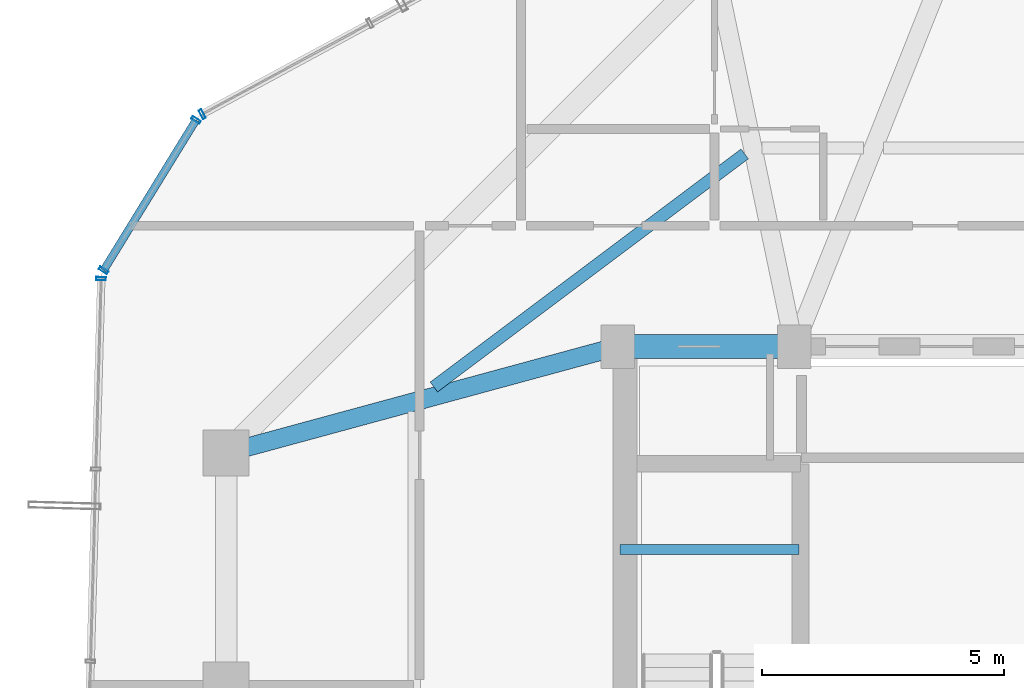
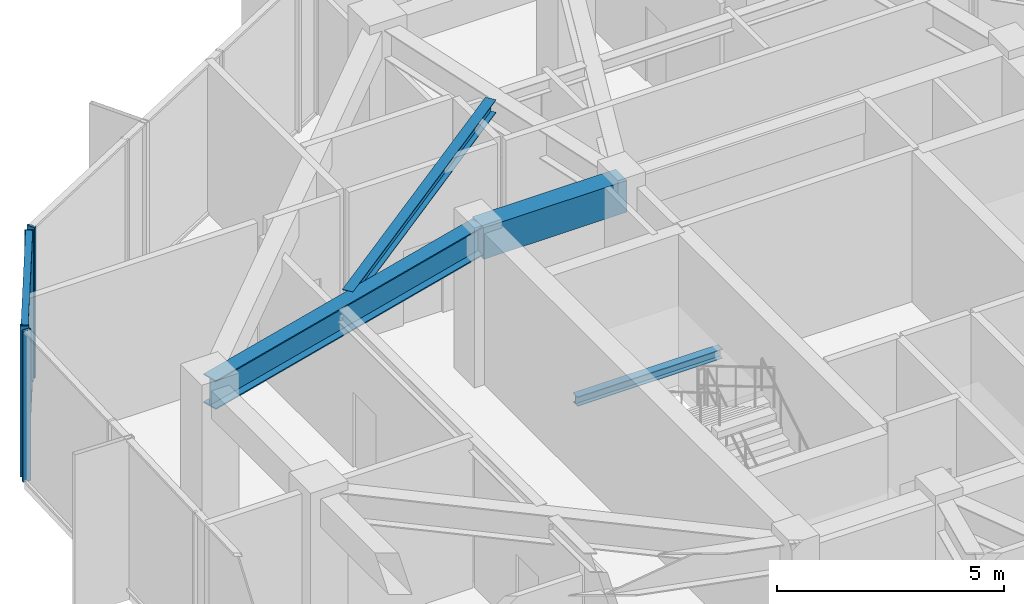
# One storey, part 9 of 22: 6 members, 4 beams, 3 elements without a shape of their own.
"""IFC4 building model written with IfcOpenShell, lengths in metres."""

import ifcopenshell
import ifcopenshell.guid

model = None  # the IFC model being written
_history = None  # IfcOwnerHistory: only IFC2X3 demands one
_inside = {}  # id of a spatial element -> (the spatial element, [elements in it])
_under = {}  # id of a project, library or spatial element -> (it, [spatial elements below it])
_declared = {}  # id of a project -> (the project, [libraries it declares])
_typed = {}  # id of a type object -> (the type object, [elements of that type])
_made_of = {}  # id of a material, layer set ... -> (it, [elements and type objects made of it])


def new_model(schema):
    """Start an empty IFC model of exactly this schema.

    Asked for "IFC4X3", IfcOpenShell would pick the latest addendum, in which some entities
    have other attributes; the version numbers below select the first issue.
    IFC2X3 requires an IfcOwnerHistory on every rooted entity: one is made here for all.
    """
    global model, _history
    if schema == "IFC4X3":
        model = ifcopenshell.file(schema_version=(4, 3, 0, 0))
    else:
        model = ifcopenshell.file(schema=schema)
    _inside.clear()
    _under.clear()
    _declared.clear()
    _typed.clear()
    _made_of.clear()
    _history = None
    if model.schema == "IFC2X3":
        org = make("IfcOrganization", Name="unknown")
        user = make(
            "IfcPersonAndOrganization",
            ThePerson=make("IfcPerson", FamilyName="unknown"),
            TheOrganization=org,
        )
        app = make(
            "IfcApplication",
            ApplicationDeveloper=org,
            Version="unknown",
            ApplicationFullName="unknown",
            ApplicationIdentifier="unknown",
        )
        _history = make(
            "IfcOwnerHistory",
            OwningUser=user,
            OwningApplication=app,
            ChangeAction="ADDED",
            CreationDate=0,
        )
    return model


def make(cls, **values):
    """One entity of the class cls with the attributes given. An attribute that is None is left unset."""
    return model.create_entity(
        cls, **{name: value for name, value in values.items() if value is not None}
    )


def rooted(cls, **values):
    """An entity with a GlobalId (a new one), such as an element, a storey or a relation."""
    return make(cls, GlobalId=ifcopenshell.guid.new(), OwnerHistory=_history, **values)


def si_unit(unit_type, name, prefix=None):
    """IfcSIUnit, for example si_unit("LENGTHUNIT", "METRE", prefix="MILLI")."""
    return make("IfcSIUnit", UnitType=unit_type, Prefix=prefix, Name=name)


def assignment(units):
    """IfcUnitAssignment: the units of a project."""
    return None if units is None else make("IfcUnitAssignment", Units=units)


def point(xyz):
    """IfcCartesianPoint."""
    return None if xyz is None else make("IfcCartesianPoint", Coordinates=xyz)


def direction(xyz):
    """IfcDirection."""
    return None if xyz is None else make("IfcDirection", DirectionRatios=xyz)


def frame(location, z_axis=None, x_axis=None):
    """IfcAxis2Placement3D, a coordinate frame: its origin and axes. An axis left out is left unset."""
    return make(
        "IfcAxis2Placement3D",
        Location=point(location),
        Axis=direction(z_axis),
        RefDirection=direction(x_axis),
    )


def frame_2d(location, x_axis=None):
    """IfcAxis2Placement2D, a coordinate frame in the plane: its origin and x axis."""
    return make(
        "IfcAxis2Placement2D", Location=point(location), RefDirection=direction(x_axis)
    )


def origin():
    """The frame at (0, 0, 0) with its axes left unset."""
    return frame((0.0, 0.0, 0.0))


def origin_2d():
    """The frame at (0, 0) in the plane with its x axis left unset."""
    return frame_2d((0.0, 0.0))


def place(relative_to, where):
    """IfcLocalPlacement: puts the frame where relative to a parent placement (None: the world)."""
    return make(
        "IfcLocalPlacement", PlacementRelTo=relative_to, RelativePlacement=where
    )


def context(
    kind, dimensions, precision=None, world=None, true_north=None, identifier=None
):
    """IfcGeometricRepresentationContext, for example the 3D "Model" context."""
    return make(
        "IfcGeometricRepresentationContext",
        ContextIdentifier=identifier,
        ContextType=kind,
        CoordinateSpaceDimension=dimensions,
        Precision=precision,
        WorldCoordinateSystem=world,
        TrueNorth=true_north,
    )


def subcontext(parent, identifier, kind, view, scale=None):
    """IfcGeometricRepresentationSubContext, for example "Body" below "Model"."""
    return make(
        "IfcGeometricRepresentationSubContext",
        ContextIdentifier=identifier,
        ContextType=kind,
        ParentContext=parent,
        TargetScale=scale,
        TargetView=view,
    )


def project(units=None, contexts=None):
    """IfcProject with its units and contexts."""
    return rooted(
        "IfcProject",
        Name="project",
        RepresentationContexts=contexts,
        UnitsInContext=assignment(units),
    )


def spatial(cls, under=None, at=None, **own):
    """A site, building, storey or space (cls), placed at a placement, below another one or the project."""
    s = rooted(cls, ObjectPlacement=at, **own)
    if under is not None:
        _under.setdefault(under.id(), (under, []))[1].append(s)
    return s


def profile(cls, at=None, kind="AREA", **sizes):
    """A parametric profile (cls). Its sizes go by their IFC names, for example OverallWidth=200.0."""
    return make(cls, ProfileType=kind, Position=at, **sizes)


def rectangle(**sizes):
    """IfcRectangleProfileDef."""
    return profile("IfcRectangleProfileDef", **sizes)


def hollow_rectangle(**sizes):
    """IfcRectangleHollowProfileDef."""
    return profile("IfcRectangleHollowProfileDef", **sizes)


def i_section(**sizes):
    """IfcIShapeProfileDef."""
    return profile("IfcIShapeProfileDef", **sizes)


def extrude(swept, where, along, depth):
    """IfcExtrudedAreaSolid: the profile swept, set in the frame where, extruded along a direction by depth."""
    return make(
        "IfcExtrudedAreaSolid",
        SweptArea=swept,
        Position=where,
        ExtrudedDirection=direction(along),
        Depth=depth,
    )


def shape(context_of_items, identifier, shape_type, items):
    """IfcShapeRepresentation: the items that make up one representation, for example the "Body"."""
    return make(
        "IfcShapeRepresentation",
        ContextOfItems=context_of_items,
        RepresentationIdentifier=identifier,
        RepresentationType=shape_type,
        Items=items,
    )


def source(mapping_origin, context_of_items, identifier, shape_type, items):
    """IfcRepresentationMap: a shape defined once, which mapped items show again and again."""
    return make(
        "IfcRepresentationMap",
        MappingOrigin=mapping_origin,
        MappedRepresentation=shape(context_of_items, identifier, shape_type, items),
    )


def transform(
    local_origin,
    x_axis=None,
    y_axis=None,
    z_axis=None,
    scale=None,
    scale2=None,
    scale3=None,
    uniform=True,
):
    """IfcCartesianTransformationOperator3D, or its non-uniform kind. x_axis, y_axis, z_axis: its Axis1, 2, 3."""
    if uniform:
        return make(
            "IfcCartesianTransformationOperator3D",
            Axis1=direction(x_axis),
            Axis2=direction(y_axis),
            LocalOrigin=point(local_origin),
            Scale=scale,
            Axis3=direction(z_axis),
        )
    return make(
        "IfcCartesianTransformationOperator3DnonUniform",
        Axis1=direction(x_axis),
        Axis2=direction(y_axis),
        LocalOrigin=point(local_origin),
        Scale=scale,
        Axis3=direction(z_axis),
        Scale2=scale2,
        Scale3=scale3,
    )


def mapped(mapping_source, mapping_target):
    """IfcMappedItem: shows the shape of a source again, moved by a transform."""
    return make(
        "IfcMappedItem", MappingSource=mapping_source, MappingTarget=mapping_target
    )


def material(Name=None, Category=None):
    """IfcMaterial."""
    return make("IfcMaterial", Name=Name, Category=Category)


def layer(
    of_material, thickness, ventilated=None, Name=None, Category=None, Priority=None
):
    """IfcMaterialLayer: one layer of a wall or slab, of a material (None: an air gap)."""
    return make(
        "IfcMaterialLayer",
        Material=of_material,
        LayerThickness=thickness,
        IsVentilated=ventilated,
        Name=Name,
        Category=Category,
        Priority=Priority,
    )


def layer_set(layers, Name=None):
    """IfcMaterialLayerSet."""
    return make("IfcMaterialLayerSet", MaterialLayers=layers, LayerSetName=Name)


def material_profile(
    of_material, cross_section, Name=None, Category=None, Priority=None
):
    """IfcMaterialProfile: a cross section and its material."""
    return make(
        "IfcMaterialProfile",
        Name=Name,
        Material=of_material,
        Profile=cross_section,
        Priority=Priority,
        Category=Category,
    )


def profile_set(profiles, Name=None, composite=None):
    """IfcMaterialProfileSet."""
    return make(
        "IfcMaterialProfileSet",
        Name=Name,
        MaterialProfiles=profiles,
        CompositeProfile=composite,
    )


def made_of(thing, what):
    """Note that an element or type object is made of a material, layer set ...; save() writes the relation."""
    if what is not None:
        _made_of.setdefault(what.id(), (what, []))[1].append(thing)
    return thing


def type_object(cls, material=None, **own):
    """A type object (cls), such as IfcWallType, which elements share."""
    return made_of(rooted(cls, **own), material)


def element(
    cls,
    number,
    at=None,
    inside=None,
    cuts=None,
    type_object=None,
    material=None,
    context=None,
    identifier="Body",
    shape_type=None,
    held_by="IfcProductDefinitionShape",
    body=None,
    shapes=None,
    **own,
):
    """One element of the class cls, such as IfcWall. Its Tag is "e" and its number.

    at: its placement. inside: the storey or other place that contains it. cuts: it is an
    opening in that element (IfcRelVoidsElement). A single representation is given by context,
    identifier, shape_type and body (its items); several are given by shapes. held_by: the class
    of the entity that holds the representations. save() writes the other relations.
    """
    e = rooted(cls, Tag="e%d" % number, ObjectPlacement=at, **own)
    if body is not None:
        shapes = [shape(context, identifier, shape_type, body)]
    if shapes is not None:
        e.Representation = make(held_by, Representations=shapes)
    if inside is not None:
        _inside.setdefault(inside.id(), (inside, []))[1].append(e)
    if cuts is not None:
        rooted(
            "IfcRelVoidsElement", RelatingBuildingElement=cuts, RelatedOpeningElement=e
        )
    if type_object is not None:
        _typed.setdefault(type_object.id(), (type_object, []))[1].append(e)
    return made_of(e, material)


def aggregate(whole, parts):
    """IfcRelAggregates: a whole, such as a stair, and the parts it consists of."""
    return rooted("IfcRelAggregates", RelatingObject=whole, RelatedObjects=parts)


def save(model, path):
    """Write the relations noted so far, then the file.

    IfcRelAggregates (storeys below a building ...), IfcRelContainedInSpatialStructure (elements
    in a storey), IfcRelDefinesByType, IfcRelAssociatesMaterial and IfcRelDeclares: one each for
    every whole, place, type object, material and project.
    """
    for whole, parts in _under.values():
        aggregate(whole, parts)
    for where, things in _inside.values():
        rooted(
            "IfcRelContainedInSpatialStructure",
            RelatedElements=things,
            RelatingStructure=where,
        )
    for kind, things in _typed.values():
        rooted("IfcRelDefinesByType", RelatedObjects=things, RelatingType=kind)
    for what, things in _made_of.values():
        rooted("IfcRelAssociatesMaterial", RelatedObjects=things, RelatingMaterial=what)
    for by, libraries in _declared.values():
        rooted("IfcRelDeclares", RelatingContext=by, RelatedDefinitions=libraries)
    model.write(path)


model = new_model("IFC4")

# Units and contexts
model_context = context("Model", 3, precision=1e-05, world=origin(), true_north=direction((0.0, 1.0)))
body_context = subcontext(model_context, "Body", "Model", "MODEL_VIEW")
ifc_project = project(units=[si_unit("LENGTHUNIT", "METRE"), si_unit("AREAUNIT", "SQUARE_METRE"), si_unit("VOLUMEUNIT", "CUBIC_METRE"), si_unit("PLANEANGLEUNIT", "RADIAN"), si_unit("MASSUNIT", "GRAM", prefix="KILO")], contexts=[model_context])

# Site, building, storey
site_placement = place(None, origin())
site = spatial("IfcSite", under=ifc_project, at=site_placement, CompositionType="ELEMENT")
building_placement = place(site_placement, origin())
building = spatial("IfcBuilding", under=site, at=building_placement, Name="Veraguas Prism Commons", CompositionType="ELEMENT")
storey_placement = place(building_placement, frame((0.0, 0.0, 211.35009765625)))
storey = spatial("IfcBuildingStorey", under=building, at=storey_placement, Name="L60", CompositionType="ELEMENT", Elevation=211.35009765625)

# Beams
ifc_material_1 = material(Name="Steel ASTM A992 Grade 50", Category="steel")
ifc_material_profile_1 = material_profile(ifc_material_1, i_section(OverallWidth=0.382080078125, OverallDepth=0.779052734375, WebThickness=0.01806640625, FlangeThickness=0.030029296875, at=origin_2d()), Name="W760X284")
ifc_profile_set_1 = profile_set([ifc_material_profile_1], Name="Steel ASTM A992 Grade 50")
beam_type_1 = type_object("IfcBeamType", Name="Assembly Primary Girder W760x284", PredefinedType="BEAM", material=ifc_profile_set_1)
beam_1_placement = place(storey_placement, frame((9.10009765625, 28.800048828125, 3.67529296875), z_axis=(0.965038506703, 0.262108146725, 0.0), x_axis=(-0.262108146725, 0.965038506703, 0.0)))
element("IfcBeam", 1, at=beam_1_placement, inside=storey, type_object=beam_type_1, Name="Radial Floor Girder L60-RD07", PredefinedType="BEAM", context=body_context, shape_type="SweptSolid", body=[
    extrude(i_section(OverallWidth=0.382080078125, OverallDepth=0.779052734375, WebThickness=0.01806640625, FlangeThickness=0.030029296875, at=origin_2d()), origin(), (0.0, 0.0, 1.0), 8.393310546875),
])
ifc_material_2 = material(Name="Concrete C50/60", Category="concrete")
ifc_material_profile_2 = material_profile(ifc_material_2, rectangle(XDim=0.5, YDim=0.85009765625, at=origin_2d()), Name="RC500X850")
ifc_profile_set_2 = profile_set([ifc_material_profile_2], Name="Concrete C50/60")
beam_type_2 = type_object("IfcBeamType", Name="Core Coupling Beam RC 500x850", PredefinedType="BEAM", material=ifc_profile_set_2)
beam_2_placement = place(storey_placement, frame((17.199951171875, 31.0, 3.639892578125), z_axis=(1.0, 0.0, 0.0), x_axis=(0.0, 1.0, 0.0)))
element("IfcBeam", 2, at=beam_2_placement, inside=storey, type_object=beam_type_2, Name="Core Coupling Beam L60-CRN1", PredefinedType="BEAM", context=body_context, shape_type="SweptSolid", body=[
    extrude(rectangle(XDim=0.5, YDim=0.85009765625, at=origin_2d()), origin(), (0.0, 0.0, 1.0), 3.650146484375),
])
ifc_material_profile_3 = material_profile(ifc_material_1, i_section(OverallWidth=0.202880859375, OverallDepth=0.251953125, WebThickness=0.008056640625, FlangeThickness=0.013427734375, at=origin_2d()), Name="W250X58")
ifc_profile_set_3 = profile_set([ifc_material_profile_3], Name="Steel ASTM A992 Grade 50")
beam_type_3 = type_object("IfcBeamType", Name="Structural Opening Lintel W250x58", PredefinedType="LINTEL", material=ifc_profile_set_3)
beam_3_placement = place(storey_placement, frame((17.25, 26.800048828125, 1.823974609375), z_axis=(1.0, 0.0, 0.0), x_axis=(0.0, 1.0, 0.0)))
element("IfcBeam", 3, at=beam_3_placement, inside=storey, type_object=beam_type_3, Name="Stair ST-01 Half-Landing Support Beam L60-1", PredefinedType="LINTEL", context=body_context, shape_type="SweptSolid", body=[
    extrude(i_section(OverallWidth=0.202880859375, OverallDepth=0.251953125, WebThickness=0.008056640625, FlangeThickness=0.013427734375, at=origin_2d()), origin(), (0.0, 0.0, 1.0), 3.699951171875),
])
ifc_material_profile_4 = material_profile(ifc_material_1, i_section(OverallWidth=0.25390625, OverallDepth=0.35302734375, WebThickness=0.009521484375, FlangeThickness=0.016357421875, at=origin_2d()), Name="W360X91")
ifc_profile_set_4 = profile_set([ifc_material_profile_4], Name="Steel ASTM A992 Grade 50")
beam_type_4 = type_object("IfcBeamType", Name="Upper Floor Joist W360x91", PredefinedType="JOIST", material=ifc_profile_set_4)
beam_4_placement = place(storey_placement, frame((19.8251953125, 34.98291015625, 3.888427734375), z_axis=(-0.800058341402, -0.599922203584, 0.0), x_axis=(0.599922203584, -0.800058341402, 0.0)))
element("IfcBeam", 4, at=beam_4_placement, inside=storey, type_object=beam_type_4, Name="Composite Floor Joist L60-JS06", PredefinedType="JOIST", context=body_context, shape_type="SweptSolid", body=[
    extrude(i_section(OverallWidth=0.25390625, OverallDepth=0.35302734375, WebThickness=0.009521484375, FlangeThickness=0.016357421875, at=origin_2d()), origin(), (0.0, 0.0, 1.0), 8.0341796875),
])

# Curtain wall, members
ifc_material_3 = material(Name="Anodised aluminium EN AW-6063 T6", Category="aluminium")
ifc_layer = layer(ifc_material_3, 0.199951171875, Name="Sky Lobby and Pool Acoustic Curtain Wall", Category="aluminium")
ifc_layer_set = layer_set([ifc_layer], Name="Anodised aluminium EN AW-6063 T6")
curtain_wall_type = type_object("IfcCurtainWallType", Name="Sky Lobby and Pool Acoustic Curtain Wall", PredefinedType="NOTDEFINED", material=ifc_layer_set)
curtain_wall_1_placement = place(storey_placement, origin())
curtain_wall_1 = element("IfcCurtainWall", 5, at=curtain_wall_1_placement, inside=storey, type_object=curtain_wall_type, Name="Chamfer Curtain Wall L60-C3", PredefinedType="NOTDEFINED")
ifc_material_profile_5 = material_profile(ifc_material_3, hollow_rectangle(XDim=0.06005859375, YDim=0.159912109375, WallThickness=0.0029296875, at=origin_2d()), Name="AL60X160X3")
ifc_profile_set_5 = profile_set([ifc_material_profile_5], Name="Anodised aluminium EN AW-6063 T6")
member_type_1 = type_object("IfcMemberType", Name="Curtain Wall Transom Heavy AL 60x160x3", PredefinedType="USERDEFINED", material=ifc_profile_set_5)
shared_shape_1 = source(origin(), body_context, "Body", "SweptSolid", [
    extrude(hollow_rectangle(XDim=0.06005859375, YDim=0.159912109375, WallThickness=0.0029296875, at=origin_2d()), origin(), (0.0, 0.0, 1.0), 3.649658203125),
])
member_1_placement = place(storey_placement, frame((8.47705078125, 35.684326171875, 0.02978515625), z_axis=(-0.523664398062, -0.8519246435, 0.0), x_axis=(0.0, 0.0, 1.0)))
member_1 = element("IfcMember", 6, at=member_1_placement, type_object=member_type_1, Name="CW-SKY Transom 1", ObjectType="TRANSOM", PredefinedType="USERDEFINED", context=body_context, shape_type="MappedRepresentation", body=[
    mapped(shared_shape_1, transform((0.0, 0.0, 0.0), scale=1.0)),
])
member_2_placement = place(storey_placement, frame((8.47705078125, 35.684326171875, 4.034912109375), z_axis=(-0.523664398062, -0.8519246435, 0.0), x_axis=(0.0, 0.0, 1.0)))
member_2 = element("IfcMember", 7, at=member_2_placement, type_object=member_type_1, Name="CW-SKY Transom 2", ObjectType="TRANSOM", PredefinedType="USERDEFINED", context=body_context, shape_type="MappedRepresentation", body=[
    mapped(shared_shape_1, transform((0.0, 0.0, 0.0), scale=1.0)),
])

# Curtain wall, member
curtain_wall_2_placement = place(storey_placement, origin())
curtain_wall_2 = element("IfcCurtainWall", 8, at=curtain_wall_2_placement, inside=storey, type_object=curtain_wall_type, Name="Tower Facade Curtain Wall L60-F2", PredefinedType="NOTDEFINED")
ifc_material_profile_6 = material_profile(ifc_material_3, hollow_rectangle(XDim=0.06494140625, YDim=0.199951171875, WallThickness=0.00390625, at=origin_2d()), Name="AL65X200X4")
ifc_profile_set_6 = profile_set([ifc_material_profile_6], Name="Anodised aluminium EN AW-6063 T6")
member_type_2 = type_object("IfcMemberType", Name="Curtain Wall Mullion Heavy AL 65x200x4", PredefinedType="MULLION", material=ifc_profile_set_6)
shared_shape_2 = source(origin(), body_context, "Body", "SweptSolid", [
    extrude(hollow_rectangle(XDim=0.06494140625, YDim=0.199951171875, WallThickness=0.00390625, at=origin_2d()), origin(), (0.0, 0.0, 1.0), 4.06494140625),
])
member_3_placement = place(storey_placement, frame((8.606689453125, 35.80712890625, 0.0), z_axis=(0.0, 0.0, 1.0), x_axis=(-0.879484156418, -0.475928165389, 0.0)))
member_3 = element("IfcMember", 9, at=member_3_placement, type_object=member_type_2, Name="CW-SKY Mullion 5", PredefinedType="MULLION", context=body_context, shape_type="MappedRepresentation", body=[
    mapped(shared_shape_2, transform((0.0, 0.0, 0.0), scale=1.0)),
])
aggregate(curtain_wall_2, [member_3])

curtain_wall_3_placement = place(storey_placement, origin())
curtain_wall_3 = element("IfcCurtainWall", 10, at=curtain_wall_3_placement, inside=storey, type_object=curtain_wall_type, Name="Tower Facade Curtain Wall L60-F3", PredefinedType="NOTDEFINED")
member_4_placement = place(storey_placement, frame((6.514892578125, 32.404052734375, 0.0), z_axis=(0.0, 0.0, 1.0), x_axis=(-0.027567473277, -0.999619944988, 0.0)))
member_4 = element("IfcMember", 11, at=member_4_placement, type_object=member_type_2, Name="CW-SKY Mullion 1", PredefinedType="MULLION", context=body_context, shape_type="MappedRepresentation", body=[
    mapped(shared_shape_2, transform((0.0, 0.0, 0.0), scale=1.0)),
])
aggregate(curtain_wall_3, [member_4])

# Member
member_5_placement = place(storey_placement, frame((8.47705078125, 35.684326171875, 0.0), z_axis=(0.0, 0.0, 1.0), x_axis=(-0.523694512706, -0.851906131778, 0.0)))
member_5 = element("IfcMember", 12, at=member_5_placement, type_object=member_type_2, Name="CW-SKY Mullion 1", PredefinedType="MULLION", context=body_context, shape_type="MappedRepresentation", body=[
    mapped(shared_shape_2, transform((0.0, 0.0, 0.0), scale=1.0)),
])

member_6_placement = place(storey_placement, frame((6.56591796875, 32.5751953125, 0.0), z_axis=(0.0, 0.0, 1.0), x_axis=(-0.523694512706, -0.851906131778, 0.0)))
member_6 = element("IfcMember", 13, at=member_6_placement, type_object=member_type_2, Name="CW-SKY Mullion 2", PredefinedType="MULLION", context=body_context, shape_type="MappedRepresentation", body=[
    mapped(shared_shape_2, transform((0.0, 0.0, 0.0), scale=1.0)),
])

aggregate(curtain_wall_1, [member_5, member_6, member_1, member_2])

save(model, "model.ifc")
